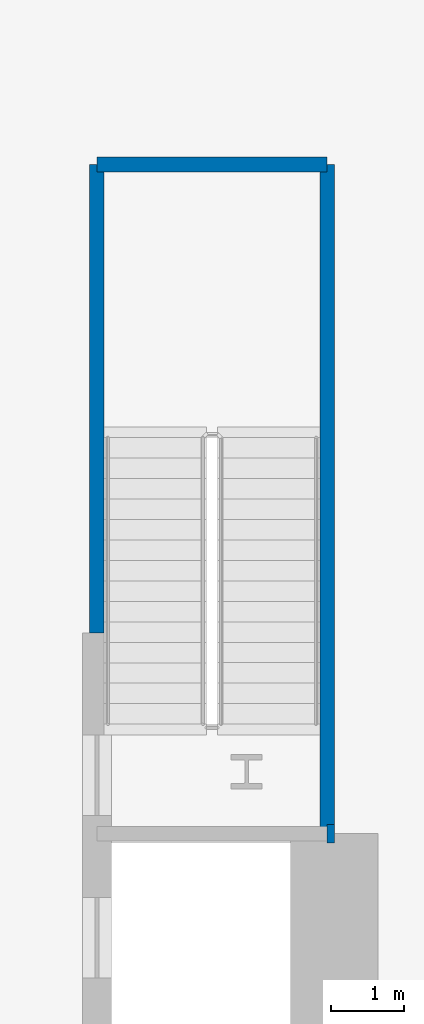
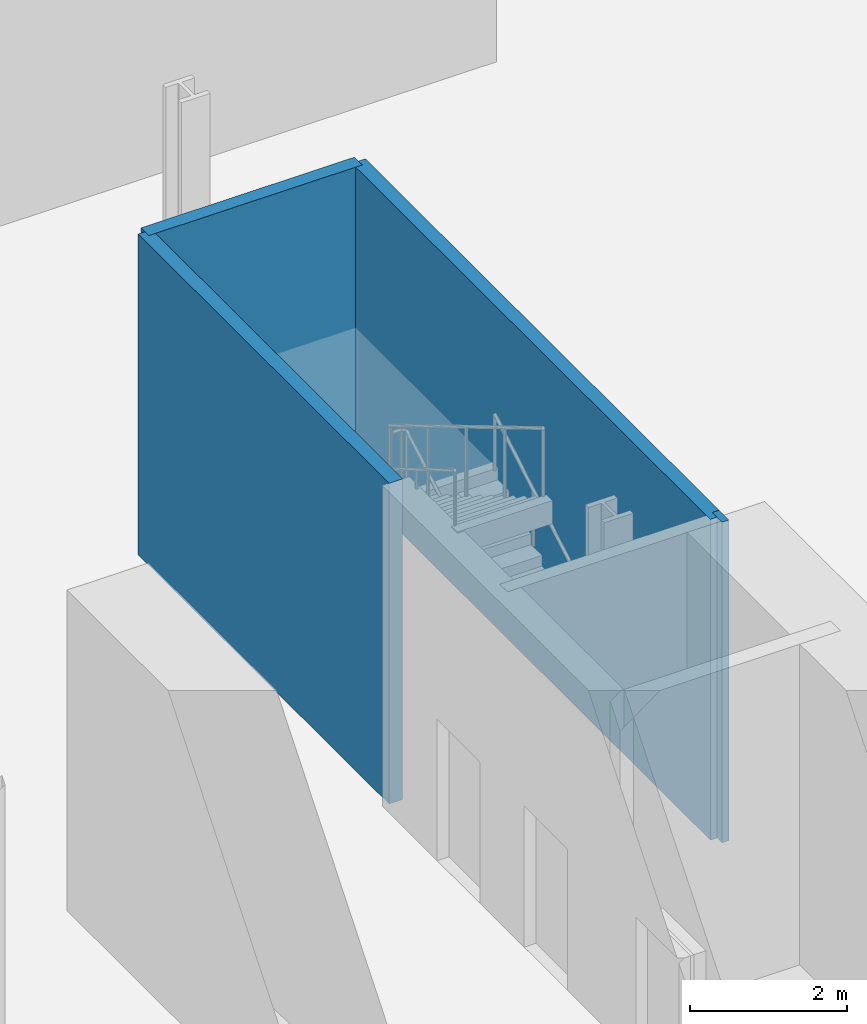
# One storey, part 9 of 19: 4 walls.
"""IFC4 building model written with IfcOpenShell, lengths in metres."""

from ifc_helpers import new_model, si_unit, direction, frame, frame_2d, origin, place, context, subcontext, project, spatial, rectangle, extrude, material, layer, layer_set, type_object, element, save


model = new_model("IFC4")

# Units and contexts
model_context = context("Model", 3, precision=1e-05, world=origin(), true_north=direction((0.0, 1.0)))
body_context = subcontext(model_context, "Body", "Model", "MODEL_VIEW")
ifc_project = project(units=[si_unit("LENGTHUNIT", "METRE"), si_unit("AREAUNIT", "SQUARE_METRE"), si_unit("VOLUMEUNIT", "CUBIC_METRE"), si_unit("PLANEANGLEUNIT", "RADIAN"), si_unit("MASSUNIT", "GRAM", prefix="KILO")], contexts=[model_context])

# Site, building, storey
site_placement = place(None, origin())
site = spatial("IfcSite", under=ifc_project, at=site_placement, CompositionType="ELEMENT")
building_placement = place(site_placement, origin())
building = spatial("IfcBuilding", under=site, at=building_placement, Name="Kheshtan School and Residences Tower", CompositionType="ELEMENT")
storey_placement = place(building_placement, frame((0.0, 0.0, -5.0)))
storey = spatial("IfcBuildingStorey", under=building, at=storey_placement, Name="B1", CompositionType="ELEMENT", Elevation=-5.0)

# Walls
ifc_material_1 = material(Name="Fire-board shaft wall system")
ifc_layer_1 = layer(ifc_material_1, 0.25)
ifc_layer_set_1 = layer_set([ifc_layer_1], Name="Shaft lining wall 250")
wall_type_1 = type_object("IfcWallType", Name="Shaft lining wall 250", PredefinedType="PARTITIONING", material=ifc_layer_set_1)
wall_1_placement = place(storey_placement, frame((37.89990234375, 44.75, 0.0), z_axis=(0.0, 0.0, 1.0), x_axis=(1.0, 0.0, 0.0)))
element("IfcWall", 1, at=wall_1_placement, inside=storey, type_object=wall_type_1, Name="Shaft lining wall", PredefinedType="PARTITIONING", context=body_context, shape_type="SweptSolid", body=[
    extrude(rectangle(XDim=0.10009765625, YDim=0.25, at=frame_2d((0.050048828125, 0.0))), origin(), (0.0, 0.0, 1.0), 5.0),
])
ifc_material_2 = material(Name="Concrete C40/50", Category="concrete")
ifc_layer_2 = layer(ifc_material_2, 0.199951171875)
ifc_layer_set_2 = layer_set([ifc_layer_2], Name="Stair enclosure wall 200 Concrete C40/50")
wall_type_2 = type_object("IfcWallType", Name="Stair enclosure wall 200 Concrete C40/50", PredefinedType="SHEAR", material=ifc_layer_set_2)
wall_2_placement = place(storey_placement, frame((34.75, 53.909912109375, 0.0), z_axis=(0.0, 0.0, 1.0), x_axis=(1.0, 0.0, 0.0)))
element("IfcWall", 2, at=wall_2_placement, inside=storey, type_object=wall_type_2, Name="Stair enclosure wall ST2", PredefinedType="SHEAR", context=body_context, shape_type="SweptSolid", body=[
    extrude(rectangle(XDim=3.14990234375, YDim=0.199951171875, at=frame_2d((1.574951171875, 0.0))), origin(), (0.0, 0.0, 1.0), 5.0),
])
wall_3_placement = place(storey_placement, frame((34.75, 47.5, 0.0), z_axis=(0.0, 0.0, 1.0), x_axis=(0.0, 1.0, 0.0)))
element("IfcWall", 3, at=wall_3_placement, inside=storey, type_object=wall_type_2, Name="Stair enclosure wall ST2", PredefinedType="SHEAR", context=body_context, shape_type="SweptSolid", body=[
    extrude(rectangle(XDim=6.409912109375, YDim=0.199951171875, at=frame_2d((3.205078125, 0.0))), origin(), (0.0, 0.0, 1.0), 5.0),
])
wall_4_placement = place(storey_placement, frame((37.89990234375, 44.75, 0.0), z_axis=(0.0, 0.0, 1.0), x_axis=(0.0, 1.0, 0.0)))
element("IfcWall", 4, at=wall_4_placement, inside=storey, type_object=wall_type_2, Name="Stair enclosure wall ST2", PredefinedType="SHEAR", context=body_context, shape_type="SweptSolid", body=[
    extrude(rectangle(XDim=9.159912109375, YDim=0.199951171875, at=frame_2d((4.580078125, 0.0))), origin(), (0.0, 0.0, 1.0), 5.0),
])

save(model, "model.ifc")
